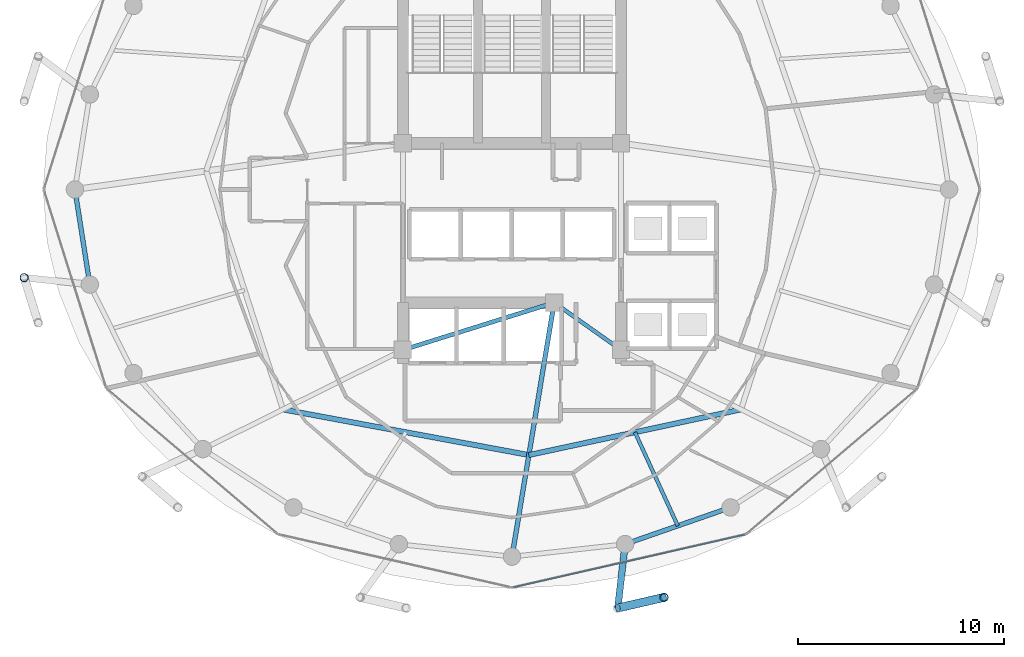
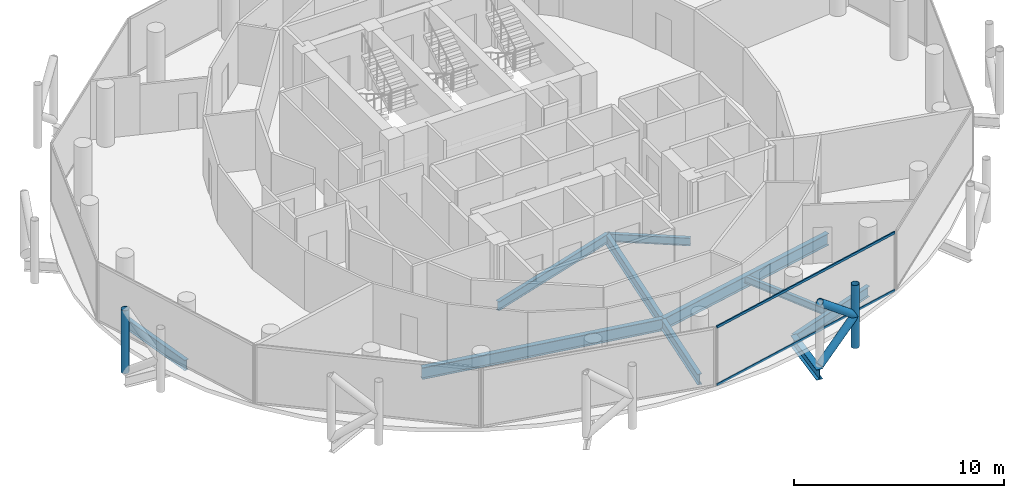
# One storey, part 6 of 27: 9 beams, 6 members, 1 element without a shape of its own.
"""IFC4 building model written with IfcOpenShell, lengths in metres."""

from ifc_helpers import new_model, si_unit, direction, frame, origin, origin_2d, place, context, subcontext, project, spatial, hollow_rectangle, hollow_circle, i_section, extrude, material, layer, layer_set, material_profile, profile_set, type_object, element, aggregate, save


model = new_model("IFC4")

# Units and contexts
model_context = context("Model", 3, precision=1e-05, world=origin(), true_north=direction((0.0, 1.0)))
body_context = subcontext(model_context, "Body", "Model", "MODEL_VIEW")
ifc_project = project(units=[si_unit("LENGTHUNIT", "METRE"), si_unit("AREAUNIT", "SQUARE_METRE"), si_unit("VOLUMEUNIT", "CUBIC_METRE"), si_unit("PLANEANGLEUNIT", "RADIAN"), si_unit("MASSUNIT", "GRAM", prefix="KILO")], contexts=[model_context])

# Site, building, storey
site_placement = place(None, origin())
site = spatial("IfcSite", under=ifc_project, at=site_placement, CompositionType="ELEMENT")
building_placement = place(site_placement, origin())
building = spatial("IfcBuilding", under=site, at=building_placement, Name="Nuhasar Tower", CompositionType="ELEMENT")
storey_placement = place(building_placement, frame((0.0, 0.0, 208.14990234375)))
storey = spatial("IfcBuildingStorey", under=building, at=storey_placement, Name="L50", CompositionType="ELEMENT", Elevation=208.14990234375)

# Beams
ifc_material_1 = material(Name="Steel S355", Category="steel")
ifc_material_profile_1 = material_profile(ifc_material_1, i_section(OverallWidth=0.25390625, OverallDepth=0.68408203125, WebThickness=0.012451171875, FlangeThickness=0.018798828125, at=origin_2d()), Name="W27X94")
ifc_profile_set_1 = profile_set([ifc_material_profile_1], Name="Steel S355")
beam_type_1 = type_object("IfcBeamType", Name="BM-INRING-W27X94", PredefinedType="BEAM", material=ifc_profile_set_1)
beam_1_placement = place(storey_placement, frame((27.864013671875, 16.10693359375, -0.581787109375), z_axis=(0.983238439987, -0.182324354193, 0.0), x_axis=(0.182324354193, 0.983238439987, 0.0)))
element("IfcBeam", 1, at=beam_1_placement, inside=storey, type_object=beam_type_1, Name="L50 Inner Header Beam 01", PredefinedType="BEAM", context=body_context, shape_type="SweptSolid", body=[
    extrude(i_section(OverallWidth=0.25390625, OverallDepth=0.68408203125, WebThickness=0.012451171875, FlangeThickness=0.018798828125, at=origin_2d()), origin(), (0.0, 0.0, 1.0), 12.159912109375),
])
beam_2_placement = place(storey_placement, frame((39.820068359375, 13.889892578125, -0.581787109375), z_axis=(0.977676275959, 0.210116870876, 0.0), x_axis=(-0.210116870876, 0.977676275959, 0.0)))
element("IfcBeam", 2, at=beam_2_placement, inside=storey, type_object=beam_type_1, Name="L50 Inner Header Beam 02", PredefinedType="BEAM", context=body_context, shape_type="SweptSolid", body=[
    extrude(i_section(OverallWidth=0.25390625, OverallDepth=0.68408203125, WebThickness=0.012451171875, FlangeThickness=0.018798828125, at=origin_2d()), origin(), (0.0, 0.0, 1.0), 10.551513671875),
])
ifc_material_profile_2 = material_profile(ifc_material_1, i_section(OverallWidth=0.177978515625, OverallDepth=0.406005859375, WebThickness=0.0078125, FlangeThickness=0.0126953125, at=origin_2d()), Name="W16X40")
ifc_profile_set_2 = profile_set([ifc_material_profile_2], Name="Steel S355")
beam_type_2 = type_object("IfcBeamType", Name="BM-JST-W16X40", PredefinedType="JOIST", material=ifc_profile_set_2)
beam_3_placement = place(storey_placement, frame((44.97802734375, 14.998046875, -0.44287109375), z_axis=(0.416562288184, -0.909107177434, 0.0), x_axis=(0.909107177434, 0.416562288184, 0.0)))
element("IfcBeam", 3, at=beam_3_placement, inside=storey, type_object=beam_type_2, Name="L50 Secondary Floor Joist 02", PredefinedType="JOIST", context=body_context, shape_type="SweptSolid", body=[
    extrude(i_section(OverallWidth=0.177978515625, OverallDepth=0.406005859375, WebThickness=0.0078125, FlangeThickness=0.0126953125, at=origin_2d()), origin(), (0.0, 0.0, 1.0), 5.0029296875),
])
ifc_material_profile_3 = material_profile(ifc_material_1, i_section(OverallWidth=0.18994140625, OverallDepth=0.45703125, WebThickness=0.009033203125, FlangeThickness=0.014404296875, at=origin_2d()), Name="W18X50")
ifc_profile_set_3 = profile_set([ifc_material_profile_3], Name="Steel S355")
beam_type_3 = type_object("IfcBeamType", Name="BM-RAD-W18X50", PredefinedType="BEAM", material=ifc_profile_set_3)
beam_4_placement = place(storey_placement, frame((41.050048828125, 21.300048828125, -0.468994140625), z_axis=(0.816265428953, -0.577677028708, 0.0), x_axis=(0.577677028708, 0.816265428953, 0.0)))
element("IfcBeam", 4, at=beam_4_placement, inside=storey, type_object=beam_type_3, Name="L50 Core Ring Girder 2", PredefinedType="BEAM", context=body_context, shape_type="SweptSolid", body=[
    extrude(i_section(OverallWidth=0.18994140625, OverallDepth=0.45703125, WebThickness=0.009033203125, FlangeThickness=0.014404296875, at=origin_2d()), origin(), (0.0, 0.0, 1.0), 3.9814453125),
])
ifc_material_profile_4 = material_profile(ifc_material_1, i_section(OverallWidth=0.208984375, OverallDepth=0.528076171875, WebThickness=0.009521484375, FlangeThickness=0.01318359375, at=origin_2d()), Name="W21X55")
ifc_profile_set_4 = profile_set([ifc_material_profile_4], Name="Steel S355")
beam_type_4 = type_object("IfcBeamType", Name="BM-RAD-W21X55", PredefinedType="BEAM", material=ifc_profile_set_4)
beam_5_placement = place(storey_placement, frame((33.699951171875, 19.0, -0.50390625), z_axis=(0.954363709454, 0.298646798205, 0.0), x_axis=(-0.298646798205, 0.954363709454, 0.0)))
element("IfcBeam", 5, at=beam_5_placement, inside=storey, type_object=beam_type_4, Name="L50 Core Ring Girder 1", PredefinedType="BEAM", context=body_context, shape_type="SweptSolid", body=[
    extrude(i_section(OverallWidth=0.208984375, OverallDepth=0.528076171875, WebThickness=0.009521484375, FlangeThickness=0.01318359375, at=origin_2d()), origin(), (0.0, 0.0, 1.0), 7.70166015625),
])
ifc_material_profile_5 = material_profile(ifc_material_1, i_section(OverallWidth=0.22900390625, OverallDepth=0.612060546875, WebThickness=0.011962890625, FlangeThickness=0.01953125, at=origin_2d()), Name="W24X84")
ifc_profile_set_5 = profile_set([ifc_material_profile_5], Name="Steel S355")
beam_type_5 = type_object("IfcBeamType", Name="BM-RAD-W24X84", PredefinedType="BEAM", material=ifc_profile_set_5)
beam_6_placement = place(storey_placement, frame((41.050048828125, 21.300048828125, -0.5458984375), z_axis=(-0.163753822517, -0.98650123447, 0.0), x_axis=(0.98650123447, -0.163753822517, 0.0)))
element("IfcBeam", 6, at=beam_6_placement, inside=storey, type_object=beam_type_5, Name="L50 Radial Floor Girder 02", PredefinedType="BEAM", context=body_context, shape_type="SweptSolid", body=[
    extrude(i_section(OverallWidth=0.22900390625, OverallDepth=0.612060546875, WebThickness=0.011962890625, FlangeThickness=0.01953125, at=origin_2d()), origin(), (0.0, 0.0, 1.0), 12.51904296875),
])
ifc_material_profile_6 = material_profile(ifc_material_1, i_section(OverallWidth=0.22802734375, OverallDepth=0.60791015625, WebThickness=0.01123046875, FlangeThickness=0.017333984375, at=origin_2d()), Name="W24X76")
ifc_profile_set_6 = profile_set([ifc_material_profile_6], Name="Steel S355")
beam_type_6 = type_object("IfcBeamType", Name="BM-RING-W24X76", PredefinedType="SPANDREL", material=ifc_profile_set_6)
beam_7_placement = place(storey_placement, frame((17.75, 26.800048828125, -0.5439453125), z_axis=(0.154841886404, -0.987939264436, 0.0), x_axis=(0.987939264436, 0.154841886404, 0.0)))
element("IfcBeam", 7, at=beam_7_placement, inside=storey, type_object=beam_type_6, Name="L50 Perimeter Ring Spandrel 13", PredefinedType="SPANDREL", context=body_context, shape_type="SweptSolid", body=[
    extrude(i_section(OverallWidth=0.22802734375, OverallDepth=0.60791015625, WebThickness=0.01123046875, FlangeThickness=0.017333984375, at=origin_2d()), origin(), (0.0, 0.0, 1.0), 4.676513671875),
])
beam_8_placement = place(storey_placement, frame((44.5, 9.55810546875, -0.5439453125), z_axis=(0.944476764686, 0.328578211342, 0.0), x_axis=(-0.328578211342, 0.944476764686, 0.0)))
element("IfcBeam", 8, at=beam_8_placement, inside=storey, type_object=beam_type_6, Name="L50 Perimeter Ring Spandrel 20", PredefinedType="SPANDREL", context=body_context, shape_type="SweptSolid", body=[
    extrude(i_section(OverallWidth=0.22802734375, OverallDepth=0.60791015625, WebThickness=0.01123046875, FlangeThickness=0.017333984375, at=origin_2d()), origin(), (0.0, 0.0, 1.0), 5.42626953125),
])
ifc_material_profile_7 = material_profile(ifc_material_1, i_section(OverallWidth=0.323974609375, OverallDepth=0.611083984375, WebThickness=0.0126953125, FlangeThickness=0.01904296875, at=origin_2d()), Name="W24X104")
ifc_profile_set_7 = profile_set([ifc_material_profile_7], Name="Steel S355")
beam_type_7 = type_object("IfcBeamType", Name="BM-TIE-W24X104", PredefinedType="BEAM", material=ifc_profile_set_7)
beam_9_placement = place(storey_placement, frame((44.5, 9.55810546875, -0.544921875), z_axis=(-0.114123371392, -0.993466585297, 0.0), x_axis=(0.993466585297, -0.114123371392, 0.0)))
element("IfcBeam", 9, at=beam_9_placement, inside=storey, type_object=beam_type_7, Name="L50 Exoskeleton Node Tie Beam 10", PredefinedType="BEAM", context=body_context, shape_type="SweptSolid", body=[
    extrude(i_section(OverallWidth=0.323974609375, OverallDepth=0.611083984375, WebThickness=0.0126953125, FlangeThickness=0.01904296875, at=origin_2d()), origin(), (0.0, 0.0, 1.0), 3.127685546875),
])

# Curtain wall, members
ifc_material_2 = material(Name="Aluminium 6063-T6", Category="aluminium")
ifc_layer = layer(ifc_material_2, 0.18994140625)
ifc_layer_set = layer_set([ifc_layer], Name="Aluminium 6063-T6")
curtain_wall_type = type_object("IfcCurtainWallType", Name="CW-Z3-RES", PredefinedType="NOTDEFINED", material=ifc_layer_set)
curtain_wall_placement = place(storey_placement, origin())
curtain_wall = element("IfcCurtainWall", 10, at=curtain_wall_placement, inside=storey, type_object=curtain_wall_type, Name="L50 Unitised Curtain Wall 10", PredefinedType="NOTDEFINED")
ifc_material_profile_8 = material_profile(ifc_material_2, hollow_rectangle(XDim=0.06494140625, YDim=0.139892578125, WallThickness=0.00439453125, at=origin_2d()), Name="CWT-4")
ifc_profile_set_8 = profile_set([ifc_material_profile_8], Name="Aluminium 6063-T6")
member_type_1 = type_object("IfcMemberType", Name="CW-TRN-S4", PredefinedType="USERDEFINED", material=ifc_profile_set_8)
member_1_placement = place(storey_placement, frame((39.0634765625, 7.454345703125, 0.03271484375), z_axis=(0.974989487479, 0.222250982686, 0.0), x_axis=(-0.222250982686, 0.974989487479, 0.0)))
member_1 = element("IfcMember", 11, at=member_1_placement, type_object=member_type_1, Name="CW-Z3 transom 1.1", ObjectType="TRANSOM", PredefinedType="USERDEFINED", context=body_context, shape_type="SweptSolid", body=[
    extrude(hollow_rectangle(XDim=0.06494140625, YDim=0.139892578125, WallThickness=0.00439453125, at=origin_2d()), origin(), (0.0, 0.0, 1.0), 11.541748046875),
])
member_2_placement = place(storey_placement, frame((39.0634765625, 7.454345703125, 3.377685546875), z_axis=(0.974989487479, 0.222250982686, 0.0), x_axis=(-0.222250982686, 0.974989487479, 0.0)))
member_2 = element("IfcMember", 12, at=member_2_placement, type_object=member_type_1, Name="CW-Z3 transom 1.2", ObjectType="TRANSOM", PredefinedType="USERDEFINED", context=body_context, shape_type="SweptSolid", body=[
    extrude(hollow_rectangle(XDim=0.06494140625, YDim=0.139892578125, WallThickness=0.00439453125, at=origin_2d()), origin(), (0.0, 0.0, 1.0), 11.541748046875),
])
aggregate(curtain_wall, [member_1, member_2])

# Members
ifc_material_3 = material(Name="Steel S460", Category="steel")
ifc_material_profile_9 = material_profile(ifc_material_3, hollow_circle(Radius=0.203125, WallThickness=0.01904296875, at=origin_2d()), Name="HSS406.4X19.1")
ifc_profile_set_9 = profile_set([ifc_material_profile_9], Name="Steel S460")
member_type_2 = type_object("IfcMemberType", Name="EXO-BRONZE-406", PredefinedType="BRACE", material=ifc_profile_set_9)
for number, where, z_axis, x_axis, name in (
    (13, (15.281982421875, 22.513916015625, 0.0), (0.0, 0.0, 1.0), (1.0, 0.0, 0.0), "L50 Exoskeleton Chord Column EC-07A"),
    (14, (46.384033203125, 6.967041015625, 0.0), (0.0, 0.0, 1.0), (1.0, 0.0, 0.0), "L50 Exoskeleton Chord Column EC-10B"),
):
    element("IfcMember", number, at=place(storey_placement, frame(where, z_axis=z_axis, x_axis=x_axis)), inside=storey, type_object=member_type_2, Name=name, PredefinedType="BRACE", context=body_context, shape_type="SweptSolid", body=[
        extrude(hollow_circle(Radius=0.203125, WallThickness=0.01904296875, at=origin_2d()), origin(), (0.0, 0.0, 1.0), 3.650146484375),
    ])
member_3_placement = place(storey_placement, frame((44.14306640625, 6.450927734375, 0.0), z_axis=(0.763292124721, 0.175792521153, 0.621676862884), x_axis=(-0.224433035437, 0.97448951385, 0.0)))
element("IfcMember", 15, at=member_3_placement, inside=storey, type_object=member_type_2, Name="L50 Bronze Diagrid Brace W1-10", PredefinedType="BRACE", context=body_context, shape_type="SweptSolid", body=[
    extrude(hollow_circle(Radius=0.203125, WallThickness=0.01904296875, at=origin_2d()), origin(), (0.0, 0.0, 1.0), 2.93603515625),
])
member_4_placement = place(storey_placement, frame((46.384033203125, 6.967041015625, 1.8251953125), z_axis=(-0.76333158458, -0.175801609086, 0.621625841021), x_axis=(0.224433035437, -0.97448951385, 0.0)))
element("IfcMember", 16, at=member_4_placement, inside=storey, type_object=member_type_2, Name="L50 Bronze Diagrid Brace W2-10", PredefinedType="BRACE", context=body_context, shape_type="SweptSolid", body=[
    extrude(hollow_circle(Radius=0.203125, WallThickness=0.01904296875, at=origin_2d()), origin(), (0.0, 0.0, 1.0), 2.935791015625),
])

save(model, "model.ifc")
